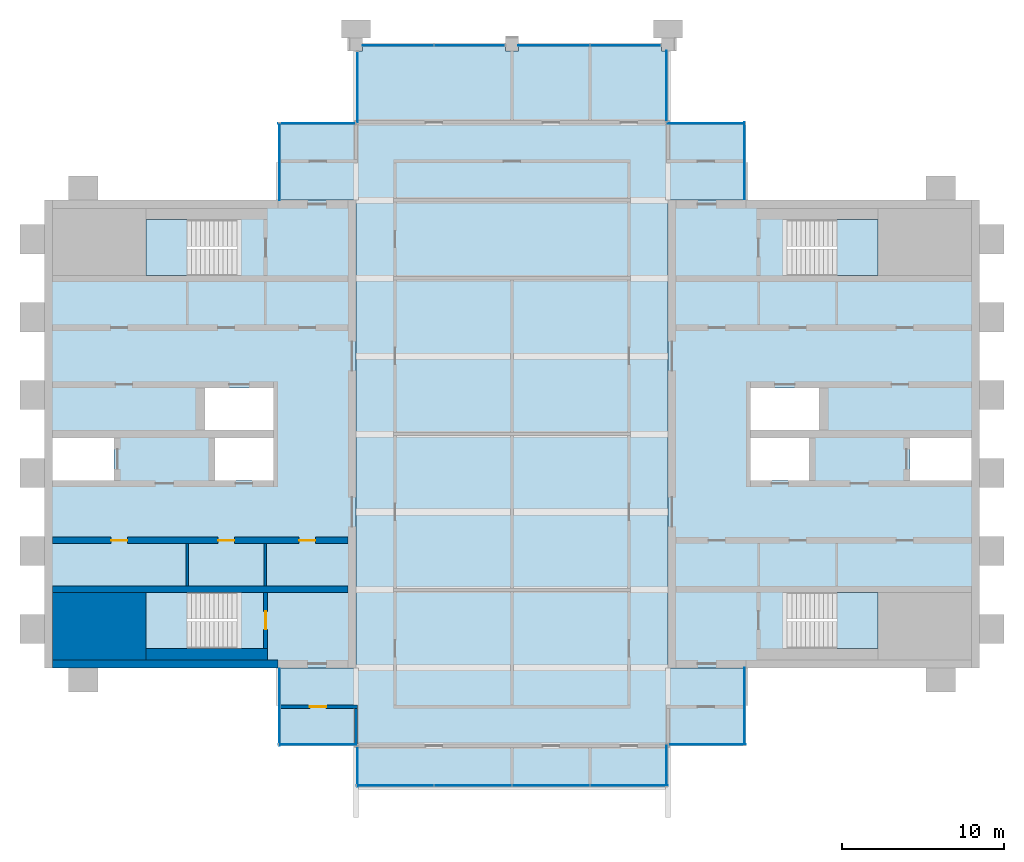
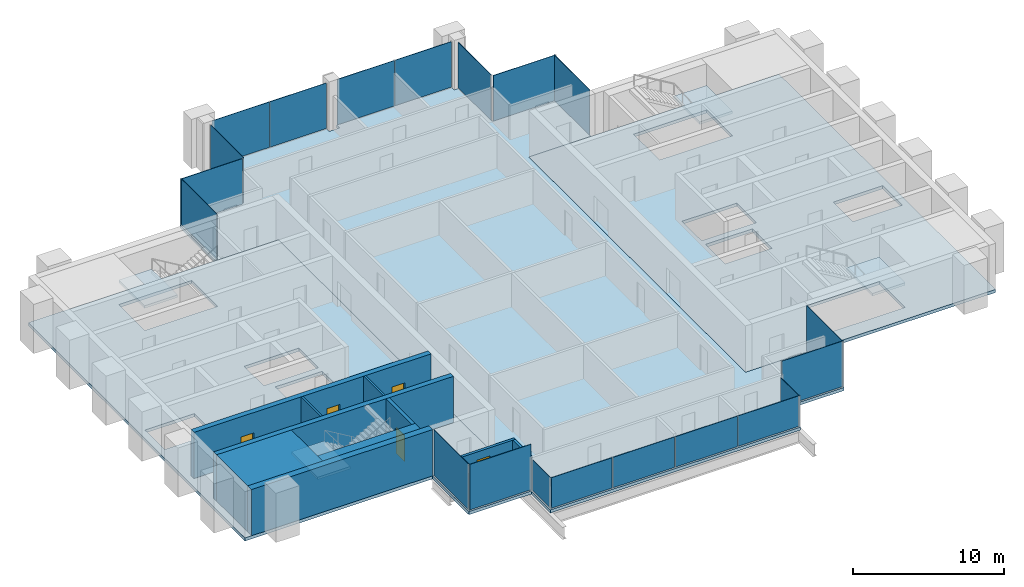
# One storey, part 7 of 12: 20 plates, 10 walls, 7 slabs, 5 doors, 5 openings, 19 elements without a shape of their own.
"""IFC4 building model written with IfcOpenShell, lengths in metres."""

from ifc_helpers import new_model, si_unit, direction, frame, frame_2d, origin, origin_2d, place, context, subcontext, project, spatial, polyline, rectangle, outline, extrude, material, layer, layer_set, type_object, element, fill, aggregate, save


model = new_model("IFC4")

# Units and contexts
model_context = context("Model", 3, precision=1e-05, world=origin(), true_north=direction((0.0, 1.0)))
body_context = subcontext(model_context, "Body", "Model", "MODEL_VIEW")
ifc_project = project(units=[si_unit("LENGTHUNIT", "METRE"), si_unit("AREAUNIT", "SQUARE_METRE"), si_unit("VOLUMEUNIT", "CUBIC_METRE"), si_unit("PLANEANGLEUNIT", "RADIAN"), si_unit("MASSUNIT", "GRAM", prefix="KILO")], contexts=[model_context])

# Site, building, storey
site_placement = place(None, origin())
site = spatial("IfcSite", under=ifc_project, at=site_placement, CompositionType="ELEMENT")
building_placement = place(site_placement, origin())
building = spatial("IfcBuilding", under=site, at=building_placement, Name="Baori Bourse Tower", CompositionType="ELEMENT")
storey_placement = place(building_placement, frame((0.0, 0.0, 362.300048828125)))
storey = spatial("IfcBuildingStorey", under=building, at=storey_placement, Name="L81", CompositionType="ELEMENT", Elevation=362.300048828125)

# Curtain wall, plate
ifc_material_1 = material(Name="Pale anodised aluminium", Category="aluminium")
curtain_wall_type = type_object("IfcCurtainWallType", Name="CW3 Curtain wall", PredefinedType="NOTDEFINED", material=ifc_material_1)
curtain_wall_1_placement = place(storey_placement, origin())
curtain_wall_1 = element("IfcCurtainWall", 1, at=curtain_wall_1_placement, inside=storey, type_object=curtain_wall_type, Name="Curtain wall CW3 L81 1", PredefinedType="NOTDEFINED")
ifc_material_2 = material(Name="Pale anodised aluminium", Category="aluminium")
ifc_layer_1 = layer(ifc_material_2, 0.0400390625)
ifc_layer_set_1 = layer_set([ifc_layer_1], Name="CW3 Curtain wall panel")
plate_type = type_object("IfcPlateType", Name="CW3 Curtain wall panel", PredefinedType="CURTAIN_PANEL", material=ifc_layer_set_1)
plate_1_placement = place(storey_placement, frame((43.1201171875, 7.22509765625, 0.06005859375), z_axis=(0.0, 0.0, 1.0), x_axis=(0.0, 1.0, 0.0)))
plate_1 = element("IfcPlate", 2, at=plate_1_placement, type_object=plate_type, Name="Curtain wall CW3 louvre panel", PredefinedType="CURTAIN_PANEL", context=body_context, shape_type="SweptSolid", body=[
    extrude(rectangle(XDim=4.75, YDim=0.0400390625, at=origin_2d()), origin(), (0.0, 0.0, 1.0), 3.68994140625),
])
aggregate(curtain_wall_1, [plate_1])

curtain_wall_2_placement = place(storey_placement, origin())
curtain_wall_2 = element("IfcCurtainWall", 3, at=curtain_wall_2_placement, inside=storey, type_object=curtain_wall_type, Name="Curtain wall CW3 L81 2", PredefinedType="NOTDEFINED")
plate_2_placement = place(storey_placement, frame((43.1201171875, 40.824951171875, 0.06005859375), z_axis=(0.0, 0.0, 1.0), x_axis=(0.0, 1.0, 0.0)))
plate_2 = element("IfcPlate", 4, at=plate_2_placement, type_object=plate_type, Name="Curtain wall CW3 louvre panel", PredefinedType="CURTAIN_PANEL", context=body_context, shape_type="SweptSolid", body=[
    extrude(rectangle(XDim=4.75, YDim=0.0400390625, at=origin_2d()), origin(), (0.0, 0.0, 1.0), 3.68994140625),
])
aggregate(curtain_wall_2, [plate_2])

curtain_wall_3_placement = place(storey_placement, origin())
curtain_wall_3 = element("IfcCurtainWall", 5, at=curtain_wall_3_placement, inside=storey, type_object=curtain_wall_type, Name="Curtain wall CW3 L81 3", PredefinedType="NOTDEFINED")
plate_3_placement = place(storey_placement, frame((40.77490234375, 43.1201171875, 0.06005859375), z_axis=(0.0, 0.0, 1.0), x_axis=(-1.0, 0.0, 0.0)))
plate_3 = element("IfcPlate", 6, at=plate_3_placement, type_object=plate_type, Name="Curtain wall CW3 louvre panel", PredefinedType="CURTAIN_PANEL", context=body_context, shape_type="SweptSolid", body=[
    extrude(rectangle(XDim=4.75, YDim=0.0400390625, at=origin_2d()), origin(), (0.0, 0.0, 1.0), 3.68994140625),
])
aggregate(curtain_wall_3, [plate_3])

curtain_wall_4_placement = place(storey_placement, origin())
curtain_wall_4 = element("IfcCurtainWall", 7, at=curtain_wall_4_placement, inside=storey, type_object=curtain_wall_type, Name="Curtain wall CW3 L81 4", PredefinedType="NOTDEFINED")
plate_4_placement = place(storey_placement, frame((38.320068359375, 45.425048828125, 0.06005859375), z_axis=(0.0, 0.0, 1.0), x_axis=(0.0, 1.0, 0.0)))
plate_4 = element("IfcPlate", 8, at=plate_4_placement, type_object=plate_type, Name="Curtain wall CW3 louvre panel", PredefinedType="CURTAIN_PANEL", context=body_context, shape_type="SweptSolid", body=[
    extrude(rectangle(XDim=4.35009765625, YDim=0.0400390625, at=origin_2d()), origin(), (0.0, 0.0, 1.0), 3.68994140625),
])
aggregate(curtain_wall_4, [plate_4])

# Curtain wall, plates
curtain_wall_5_placement = place(storey_placement, origin())
curtain_wall_5 = element("IfcCurtainWall", 9, at=curtain_wall_5_placement, inside=storey, type_object=curtain_wall_type, Name="Curtain wall CW3 L81 5", PredefinedType="NOTDEFINED")
plate_5_placement = place(storey_placement, frame((35.78759765625, 47.919921875, 0.06005859375), z_axis=(0.0, 0.0, 1.0), x_axis=(-1.0, 0.0, 0.0)))
plate_5 = element("IfcPlate", 10, at=plate_5_placement, type_object=plate_type, Name="Curtain wall CW3 louvre panel", PredefinedType="CURTAIN_PANEL", context=body_context, shape_type="SweptSolid", body=[
    extrude(rectangle(XDim=4.324951171875, YDim=0.0400390625, at=origin_2d()), origin(), (0.0, 0.0, 1.0), 3.68994140625),
])
plate_6_placement = place(storey_placement, frame((31.387451171875, 47.919921875, 0.06005859375), z_axis=(0.0, 0.0, 1.0), x_axis=(-1.0, 0.0, 0.0)))
plate_6 = element("IfcPlate", 11, at=plate_6_placement, type_object=plate_type, Name="Curtain wall CW3 louvre panel", PredefinedType="CURTAIN_PANEL", context=body_context, shape_type="SweptSolid", body=[
    extrude(rectangle(XDim=4.375, YDim=0.0400390625, at=origin_2d()), origin(), (0.0, 0.0, 1.0), 3.68994140625),
])
aggregate(curtain_wall_5, [plate_5, plate_6])

curtain_wall_6_placement = place(storey_placement, origin())
curtain_wall_6 = element("IfcCurtainWall", 12, at=curtain_wall_6_placement, inside=storey, type_object=curtain_wall_type, Name="Curtain wall CW3 L81 6", PredefinedType="NOTDEFINED")
plate_7_placement = place(storey_placement, frame((26.1875, 47.919921875, 0.06005859375), z_axis=(0.0, 0.0, 1.0), x_axis=(-1.0, 0.0, 0.0)))
plate_7 = element("IfcPlate", 13, at=plate_7_placement, type_object=plate_type, Name="Curtain wall CW3 louvre panel", PredefinedType="CURTAIN_PANEL", context=body_context, shape_type="SweptSolid", body=[
    extrude(rectangle(XDim=4.324951171875, YDim=0.0400390625, at=origin_2d()), origin(), (0.0, 0.0, 1.0), 3.68994140625),
])
plate_8_placement = place(storey_placement, frame((21.78759765625, 47.919921875, 0.06005859375), z_axis=(0.0, 0.0, 1.0), x_axis=(-1.0, 0.0, 0.0)))
plate_8 = element("IfcPlate", 14, at=plate_8_placement, type_object=plate_type, Name="Curtain wall CW3 louvre panel", PredefinedType="CURTAIN_PANEL", context=body_context, shape_type="SweptSolid", body=[
    extrude(rectangle(XDim=4.375, YDim=0.0400390625, at=origin_2d()), origin(), (0.0, 0.0, 1.0), 3.68994140625),
])
aggregate(curtain_wall_6, [plate_7, plate_8])

# Curtain wall, plate
curtain_wall_7_placement = place(storey_placement, origin())
curtain_wall_7 = element("IfcCurtainWall", 15, at=curtain_wall_7_placement, inside=storey, type_object=curtain_wall_type, Name="Curtain wall CW3 L81 7", PredefinedType="NOTDEFINED")
plate_9_placement = place(storey_placement, frame((19.280029296875, 45.375, 0.06005859375), z_axis=(0.0, 0.0, 1.0), x_axis=(0.0, -1.0, 0.0)))
plate_9 = element("IfcPlate", 16, at=plate_9_placement, type_object=plate_type, Name="Curtain wall CW3 louvre panel", PredefinedType="CURTAIN_PANEL", context=body_context, shape_type="SweptSolid", body=[
    extrude(rectangle(XDim=4.35009765625, YDim=0.0400390625, at=origin_2d()), origin(), (0.0, 0.0, 1.0), 3.68994140625),
])
aggregate(curtain_wall_7, [plate_9])

curtain_wall_8_placement = place(storey_placement, origin())
curtain_wall_8 = element("IfcCurtainWall", 17, at=curtain_wall_8_placement, inside=storey, type_object=curtain_wall_type, Name="Curtain wall CW3 L81 8", PredefinedType="NOTDEFINED")
plate_10_placement = place(storey_placement, frame((16.77490234375, 43.1201171875, 0.06005859375), z_axis=(0.0, 0.0, 1.0), x_axis=(-1.0, 0.0, 0.0)))
plate_10 = element("IfcPlate", 18, at=plate_10_placement, type_object=plate_type, Name="Curtain wall CW3 louvre panel", PredefinedType="CURTAIN_PANEL", context=body_context, shape_type="SweptSolid", body=[
    extrude(rectangle(XDim=4.75, YDim=0.0400390625, at=origin_2d()), origin(), (0.0, 0.0, 1.0), 3.68994140625),
])
aggregate(curtain_wall_8, [plate_10])

curtain_wall_9_placement = place(storey_placement, origin())
curtain_wall_9 = element("IfcCurtainWall", 19, at=curtain_wall_9_placement, inside=storey, type_object=curtain_wall_type, Name="Curtain wall CW3 L81 9", PredefinedType="NOTDEFINED")
plate_11_placement = place(storey_placement, frame((14.47998046875, 40.77490234375, 0.06005859375), z_axis=(0.0, 0.0, 1.0), x_axis=(0.0, -1.0, 0.0)))
plate_11 = element("IfcPlate", 20, at=plate_11_placement, type_object=plate_type, Name="Curtain wall CW3 louvre panel", PredefinedType="CURTAIN_PANEL", context=body_context, shape_type="SweptSolid", body=[
    extrude(rectangle(XDim=4.75, YDim=0.0400390625, at=origin_2d()), origin(), (0.0, 0.0, 1.0), 3.68994140625),
])
aggregate(curtain_wall_9, [plate_11])

curtain_wall_10_placement = place(storey_placement, origin())
curtain_wall_10 = element("IfcCurtainWall", 21, at=curtain_wall_10_placement, inside=storey, type_object=curtain_wall_type, Name="Curtain wall CW3 L81 10", PredefinedType="NOTDEFINED")
plate_12_placement = place(storey_placement, frame((14.47998046875, 7.175048828125, 0.06005859375), z_axis=(0.0, 0.0, 1.0), x_axis=(0.0, -1.0, 0.0)))
plate_12 = element("IfcPlate", 22, at=plate_12_placement, type_object=plate_type, Name="Curtain wall CW3 louvre panel", PredefinedType="CURTAIN_PANEL", context=body_context, shape_type="SweptSolid", body=[
    extrude(rectangle(XDim=4.75, YDim=0.0400390625, at=origin_2d()), origin(), (0.0, 0.0, 1.0), 3.68994140625),
])
aggregate(curtain_wall_10, [plate_12])

curtain_wall_11_placement = place(storey_placement, origin())
curtain_wall_11 = element("IfcCurtainWall", 23, at=curtain_wall_11_placement, inside=storey, type_object=curtain_wall_type, Name="Curtain wall CW3 L81 11", PredefinedType="NOTDEFINED")
plate_13_placement = place(storey_placement, frame((16.824951171875, 4.8798828125, 0.06005859375), z_axis=(0.0, 0.0, 1.0), x_axis=(1.0, 0.0, 0.0)))
plate_13 = element("IfcPlate", 24, at=plate_13_placement, type_object=plate_type, Name="Curtain wall CW3 louvre panel", PredefinedType="CURTAIN_PANEL", context=body_context, shape_type="SweptSolid", body=[
    extrude(rectangle(XDim=4.75, YDim=0.0400390625, at=origin_2d()), origin(), (0.0, 0.0, 1.0), 3.68994140625),
])
aggregate(curtain_wall_11, [plate_13])

curtain_wall_12_placement = place(storey_placement, origin())
curtain_wall_12 = element("IfcCurtainWall", 25, at=curtain_wall_12_placement, inside=storey, type_object=curtain_wall_type, Name="Curtain wall CW3 L81 12", PredefinedType="NOTDEFINED")
plate_14_placement = place(storey_placement, frame((19.280029296875, 3.5107421875, 0.06005859375), z_axis=(0.0, 0.0, 1.0), x_axis=(0.0, -1.0, 0.0)))
plate_14 = element("IfcPlate", 26, at=plate_14_placement, type_object=plate_type, Name="Curtain wall CW3 louvre panel", PredefinedType="CURTAIN_PANEL", context=body_context, shape_type="SweptSolid", body=[
    extrude(rectangle(XDim=2.478515625, YDim=0.0400390625, at=origin_2d()), origin(), (0.0, 0.0, 1.0), 2.469970703125),
])
aggregate(curtain_wall_12, [plate_14])

# Curtain wall, plates
curtain_wall_13_placement = place(storey_placement, origin())
curtain_wall_13 = element("IfcCurtainWall", 27, at=curtain_wall_13_placement, inside=storey, type_object=curtain_wall_type, Name="Curtain wall CW3 L81 13", PredefinedType="NOTDEFINED")
plate_15_placement = place(storey_placement, frame((21.612548828125, 2.3515625, 0.06005859375), z_axis=(0.0, 0.0, 1.0), x_axis=(1.0, 0.0, 0.0)))
plate_15 = element("IfcPlate", 28, at=plate_15_placement, type_object=plate_type, Name="Curtain wall CW3 louvre panel", PredefinedType="CURTAIN_PANEL", context=body_context, shape_type="SweptSolid", body=[
    extrude(rectangle(XDim=4.72509765625, YDim=0.0400390625, at=origin_2d()), origin(), (0.0, 0.0, 1.0), 2.469970703125),
])
plate_16_placement = place(storey_placement, frame((26.39990234375, 2.3515625, 0.06005859375), z_axis=(0.0, 0.0, 1.0), x_axis=(1.0, 0.0, 0.0)))
plate_16 = element("IfcPlate", 29, at=plate_16_placement, type_object=plate_type, Name="Curtain wall CW3 louvre panel", PredefinedType="CURTAIN_PANEL", context=body_context, shape_type="SweptSolid", body=[
    extrude(rectangle(XDim=4.75, YDim=0.0400390625, at=origin_2d()), origin(), (0.0, 0.0, 1.0), 2.469970703125),
])
plate_17_placement = place(storey_placement, frame((31.199951171875, 2.3515625, 0.06005859375), z_axis=(0.0, 0.0, 1.0), x_axis=(1.0, 0.0, 0.0)))
plate_17 = element("IfcPlate", 30, at=plate_17_placement, type_object=plate_type, Name="Curtain wall CW3 louvre panel", PredefinedType="CURTAIN_PANEL", context=body_context, shape_type="SweptSolid", body=[
    extrude(rectangle(XDim=4.75, YDim=0.0400390625, at=origin_2d()), origin(), (0.0, 0.0, 1.0), 2.469970703125),
])
plate_18_placement = place(storey_placement, frame((36.012451171875, 2.3515625, 0.06005859375), z_axis=(0.0, 0.0, 1.0), x_axis=(1.0, 0.0, 0.0)))
plate_18 = element("IfcPlate", 31, at=plate_18_placement, type_object=plate_type, Name="Curtain wall CW3 louvre panel", PredefinedType="CURTAIN_PANEL", context=body_context, shape_type="SweptSolid", body=[
    extrude(rectangle(XDim=4.77490234375, YDim=0.0400390625, at=origin_2d()), origin(), (0.0, 0.0, 1.0), 2.469970703125),
])
aggregate(curtain_wall_13, [plate_15, plate_16, plate_17, plate_18])

# Curtain wall, plate
curtain_wall_14_placement = place(storey_placement, origin())
curtain_wall_14 = element("IfcCurtainWall", 32, at=curtain_wall_14_placement, inside=storey, type_object=curtain_wall_type, Name="Curtain wall CW3 L81 14", PredefinedType="NOTDEFINED")
plate_19_placement = place(storey_placement, frame((38.320068359375, 3.560791015625, 0.06005859375), z_axis=(0.0, 0.0, 1.0), x_axis=(0.0, 1.0, 0.0)))
plate_19 = element("IfcPlate", 33, at=plate_19_placement, type_object=plate_type, Name="Curtain wall CW3 louvre panel", PredefinedType="CURTAIN_PANEL", context=body_context, shape_type="SweptSolid", body=[
    extrude(rectangle(XDim=2.478515625, YDim=0.0400390625, at=origin_2d()), origin(), (0.0, 0.0, 1.0), 2.469970703125),
])
aggregate(curtain_wall_14, [plate_19])

curtain_wall_15_placement = place(storey_placement, origin())
curtain_wall_15 = element("IfcCurtainWall", 34, at=curtain_wall_15_placement, inside=storey, type_object=curtain_wall_type, Name="Curtain wall CW3 L81 15", PredefinedType="NOTDEFINED")
plate_20_placement = place(storey_placement, frame((40.824951171875, 4.8798828125, 0.06005859375), z_axis=(0.0, 0.0, 1.0), x_axis=(1.0, 0.0, 0.0)))
plate_20 = element("IfcPlate", 35, at=plate_20_placement, type_object=plate_type, Name="Curtain wall CW3 louvre panel", PredefinedType="CURTAIN_PANEL", context=body_context, shape_type="SweptSolid", body=[
    extrude(rectangle(XDim=4.75, YDim=0.0400390625, at=origin_2d()), origin(), (0.0, 0.0, 1.0), 3.68994140625),
])
aggregate(curtain_wall_15, [plate_20])

# Slabs
ifc_material_3 = material(Name="Concrete f'c 50 MPa", Category="concrete")
ifc_layer_2 = layer(ifc_material_3, 0.25)
ifc_layer_set_2 = layer_set([ifc_layer_2], Name="Core slab 250")
slab_type_1 = type_object("IfcSlabType", Name="Core slab 250", PredefinedType="FLOOR", material=ifc_layer_set_2)
slab_1_placement = place(storey_placement, frame((0.0, 0.0, -0.25)))
element("IfcSlab", 36, at=slab_1_placement, inside=storey, type_object=slab_type_1, Name="Core floor slab W01", PredefinedType="FLOOR", context=body_context, shape_type="SweptSolid", body=[
    extrude(outline(polyline([(0.0, 9.60009765625), (19.199951171875, 9.60009765625), (19.199951171875, 38.39990234375), (0.0, 38.39990234375), (0.0, 9.60009765625)]), holes=[polyline([(10.5, 21.14990234375), (10.5, 23.75), (14.10009765625, 23.75), (14.10009765625, 21.14990234375), (10.5, 21.14990234375)]), polyline([(14.10009765625, 24.25), (9.89990234375, 24.25), (9.89990234375, 26.85009765625), (14.10009765625, 26.85009765625), (14.10009765625, 24.25)]), polyline([(6.25, 14.25), (11.84912109375, 14.25), (11.84912109375, 10.800048828125), (6.25, 10.800048828125), (6.25, 14.25)]), polyline([(11.84912109375, 37.199951171875), (11.84912109375, 33.75), (6.25, 33.75), (6.25, 37.199951171875), (11.84912109375, 37.199951171875)]), polyline([(4.300048828125, 23.75), (4.300048828125, 21.14990234375), (0.5, 21.14990234375), (0.5, 23.75), (4.300048828125, 23.75)])]), origin(), (0.0, 0.0, 1.0), 0.25),
])
slab_2_placement = place(storey_placement, frame((0.0, 0.0, -0.25)))
element("IfcSlab", 37, at=slab_2_placement, inside=storey, type_object=slab_type_1, Name="Core floor slab E01", PredefinedType="FLOOR", context=body_context, shape_type="SweptSolid", body=[
    extrude(outline(polyline([(38.39990234375, 38.39990234375), (38.39990234375, 9.60009765625), (57.60009765625, 9.60009765625), (57.60009765625, 38.39990234375), (38.39990234375, 38.39990234375)]), holes=[polyline([(57.10009765625, 21.14990234375), (53.300048828125, 21.14990234375), (53.300048828125, 23.75), (57.10009765625, 23.75), (57.10009765625, 21.14990234375)]), polyline([(45.750732421875, 14.25), (51.35009765625, 14.25), (51.35009765625, 10.800048828125), (45.750732421875, 10.800048828125), (45.750732421875, 14.25)]), polyline([(51.35009765625, 37.199951171875), (51.35009765625, 33.75), (45.750732421875, 33.75), (45.750732421875, 37.199951171875), (51.35009765625, 37.199951171875)]), polyline([(43.5, 24.25), (43.5, 26.85009765625), (47.699951171875, 26.85009765625), (47.699951171875, 24.25), (43.5, 24.25)]), polyline([(43.5, 23.75), (47.10009765625, 23.75), (47.10009765625, 21.14990234375), (43.5, 21.14990234375), (43.5, 23.75)])]), origin(), (0.0, 0.0, 1.0), 0.25),
])

# Stair, slab
ifc_material_4 = material(Name="Concrete f'c 50 MPa", Category="concrete")
stair_type = type_object("IfcStairType", Name="Core stair", PredefinedType="HALF_TURN_STAIR", material=ifc_material_4)
stair_1_placement = place(storey_placement, origin())
stair_1 = element("IfcStair", 38, at=stair_1_placement, inside=storey, type_object=stair_type, Name="L81 Stair WA", PredefinedType="HALF_TURN_STAIR")
ifc_material_5 = material(Name="Concrete f'c 50 MPa", Category="concrete")
slab_type_2 = type_object("IfcSlabType", Name="Core stair landing", PredefinedType="LANDING", material=ifc_material_5)
slab_3_placement = place(storey_placement, frame((0.0, 0.0, 1.800048828125)))
slab_3 = element("IfcSlab", 39, at=slab_3_placement, type_object=slab_type_2, Name="ST1 landing 1", PredefinedType="LANDING", context=body_context, shape_type="SweptSolid", body=[
    extrude(outline(polyline([(8.77001953125, 14.25), (6.25, 14.25), (6.25, 10.800048828125), (8.77001953125, 10.800048828125), (8.77001953125, 14.25)])), origin(), (0.0, 0.0, 1.0), 0.199951171875),
])
aggregate(stair_1, [slab_3])

stair_2_placement = place(storey_placement, origin())
stair_2 = element("IfcStair", 40, at=stair_2_placement, inside=storey, type_object=stair_type, Name="L81 Stair WB", PredefinedType="HALF_TURN_STAIR")
slab_4_placement = place(storey_placement, frame((0.0, 0.0, 1.800048828125)))
slab_4 = element("IfcSlab", 41, at=slab_4_placement, type_object=slab_type_2, Name="ST2 landing 1", PredefinedType="LANDING", context=body_context, shape_type="SweptSolid", body=[
    extrude(outline(polyline([(8.77001953125, 37.199951171875), (6.25, 37.199951171875), (6.25, 33.75), (8.77001953125, 33.75), (8.77001953125, 37.199951171875)])), origin(), (0.0, 0.0, 1.0), 0.199951171875),
])
aggregate(stair_2, [slab_4])

stair_3_placement = place(storey_placement, origin())
stair_3 = element("IfcStair", 42, at=stair_3_placement, inside=storey, type_object=stair_type, Name="L81 Stair EA", PredefinedType="HALF_TURN_STAIR")
slab_5_placement = place(storey_placement, frame((0.0, 0.0, 1.800048828125)))
slab_5 = element("IfcSlab", 43, at=slab_5_placement, type_object=slab_type_2, Name="ST3 landing 1", PredefinedType="LANDING", context=body_context, shape_type="SweptSolid", body=[
    extrude(outline(polyline([(48.830078125, 10.800048828125), (51.35009765625, 10.800048828125), (51.35009765625, 14.25), (48.830078125, 14.25), (48.830078125, 10.800048828125)])), origin(), (0.0, 0.0, 1.0), 0.199951171875),
])
aggregate(stair_3, [slab_5])

stair_4_placement = place(storey_placement, origin())
stair_4 = element("IfcStair", 44, at=stair_4_placement, inside=storey, type_object=stair_type, Name="L81 Stair EB", PredefinedType="HALF_TURN_STAIR")
slab_6_placement = place(storey_placement, frame((0.0, 0.0, 1.800048828125)))
slab_6 = element("IfcSlab", 45, at=slab_6_placement, type_object=slab_type_2, Name="ST4 landing 1", PredefinedType="LANDING", context=body_context, shape_type="SweptSolid", body=[
    extrude(outline(polyline([(48.830078125, 33.75), (51.35009765625, 33.75), (51.35009765625, 37.199951171875), (48.830078125, 37.199951171875), (48.830078125, 33.75)])), origin(), (0.0, 0.0, 1.0), 0.199951171875),
])
aggregate(stair_4, [slab_6])

# Slab
ifc_material_6 = material(Name="Concrete f'c 40 MPa", Category="concrete")
ifc_layer_3 = layer(ifc_material_6, 0.25)
ifc_layer_set_3 = layer_set([ifc_layer_3], Name="Floor slab 250")
slab_type_3 = type_object("IfcSlabType", Name="Floor slab 250", PredefinedType="FLOOR", material=ifc_layer_set_3)
slab_7_placement = place(storey_placement, frame((0.0, 0.0, -0.25)))
element("IfcSlab", 46, at=slab_7_placement, inside=storey, type_object=slab_type_3, Name="Floor slab L81", PredefinedType="FLOOR", context=body_context, shape_type="SweptSolid", body=[
    extrude(outline(polyline([(38.39990234375, 43.199951171875), (43.199951171875, 43.199951171875), (43.199951171875, 38.39990234375), (38.39990234375, 38.39990234375), (38.39990234375, 9.60009765625), (43.199951171875, 9.60009765625), (43.199951171875, 4.800048828125), (38.39990234375, 4.800048828125), (38.39990234375, 2.271484375), (19.199951171875, 2.271484375), (19.199951171875, 4.800048828125), (14.39990234375, 4.800048828125), (14.39990234375, 9.60009765625), (19.199951171875, 9.60009765625), (19.199951171875, 38.39990234375), (14.39990234375, 38.39990234375), (14.39990234375, 43.199951171875), (19.199951171875, 43.199951171875), (19.199951171875, 47.60009765625), (19.60009765625, 47.60009765625), (19.60009765625, 48.0), (28.39990234375, 48.0), (28.39990234375, 47.60009765625), (29.199951171875, 47.60009765625), (29.199951171875, 48.0), (38.0, 48.0), (38.0, 47.60009765625), (38.39990234375, 47.60009765625), (38.39990234375, 43.199951171875)])), origin(), (0.0, 0.0, 1.0), 0.25),
])

# Walls
ifc_material_7 = material(Name="Concrete f'c 40 MPa", Category="concrete")
wall_type_1 = type_object("IfcWallType", Name="Core corner block f'c 40", PredefinedType="SHEAR", material=ifc_material_7)
wall_1_placement = place(storey_placement, frame((0.5, 12.175048828125, 0.0), z_axis=(0.0, 0.0, 1.0), x_axis=(1.0, 0.0, 0.0)))
element("IfcWall", 47, at=wall_1_placement, inside=storey, type_object=wall_type_1, Name="Core wall W05", PredefinedType="SHEAR", context=body_context, shape_type="SweptSolid", body=[
    extrude(rectangle(XDim=5.75, YDim=4.14990234375, at=frame_2d((2.875, 0.0))), origin(), (0.0, 0.0, 1.0), 3.75),
])
ifc_material_8 = material(Name="Blockwork partition", Category="masonry")
ifc_layer_4 = layer(ifc_material_8, 0.14990234375)
ifc_layer_set_4 = layer_set([ifc_layer_4], Name="Core partition 150")
wall_type_2 = type_object("IfcWallType", Name="Core partition 150", PredefinedType="PARTITIONING", material=ifc_layer_set_4)
for number, where, z_axis, x_axis, name in (
    (48, (8.800048828125, 14.64990234375, 0.0), (0.0, 0.0, 1.0), (0.0, 1.0, 0.0), "Partition wall W09"),
    (49, (13.60009765625, 14.64990234375, 0.0), (0.0, 0.0, 1.0), (0.0, 1.0, 0.0), "Partition wall W10"),
):
    element("IfcWall", number, at=place(storey_placement, frame(where, z_axis=z_axis, x_axis=x_axis)), inside=storey, type_object=wall_type_2, Name=name, PredefinedType="PARTITIONING", context=body_context, shape_type="SweptSolid", body=[
        extrude(rectangle(XDim=2.60009765625, YDim=0.14990234375, at=frame_2d((1.300048828125, 0.0))), origin(), (0.0, 0.0, 1.0), 3.75),
    ])
ifc_material_9 = material(Name="Concrete f'c 40 MPa", Category="concrete")
ifc_layer_5 = layer(ifc_material_9, 0.5)
ifc_layer_set_5 = layer_set([ifc_layer_5], Name="Core wall 500 f'c 40")
wall_type_3 = type_object("IfcWallType", Name="Core wall 500 f'c 40", PredefinedType="SHEAR", material=ifc_layer_set_5)
wall_2_placement = place(storey_placement, frame((14.39990234375, 9.85009765625, 0.0), z_axis=(0.0, 0.0, 1.0), x_axis=(-1.0, 0.0, 0.0)))
element("IfcWall", 50, at=wall_2_placement, inside=storey, type_object=wall_type_3, Name="Core wall W02", PredefinedType="SHEAR", context=body_context, shape_type="SweptSolid", body=[
    extrude(rectangle(XDim=13.89990234375, YDim=0.5, at=frame_2d((6.949951171875, 0.0))), origin(), (0.0, 0.0, 1.0), 3.75),
])

# Wall, opening, door
ifc_material_10 = material(Name="Gypsum board partition")
ifc_layer_6 = layer(ifc_material_10, 0.199951171875)
ifc_layer_set_6 = layer_set([ifc_layer_6], Name="Plant room wall 200")
wall_type_4 = type_object("IfcWallType", Name="Plant room wall 200", PredefinedType="PARTITIONING", material=ifc_layer_set_6)
wall_3_placement = place(storey_placement, frame((14.5, 7.199951171875, 0.0), z_axis=(0.0, 0.0, 1.0), x_axis=(1.0, 0.0, 0.0)))
wall_3 = element("IfcWall", 51, at=wall_3_placement, inside=storey, type_object=wall_type_4, Name="Partition", PredefinedType="PARTITIONING", context=body_context, shape_type="SweptSolid", body=[
    extrude(rectangle(XDim=4.800048828125, YDim=0.199951171875, at=frame_2d((2.39990234375, 0.0))), origin(), (0.0, 0.0, 1.0), 2.75927734375),
])
opening_1_placement = place(wall_3_placement, frame((1.85009765625, 0.0, 0.0)))
opening_1 = element("IfcOpeningElement", 52, at=opening_1_placement, cuts=wall_3, Name="Opening L81-D04", PredefinedType="OPENING", context=body_context, shape_type="SweptSolid", body=[
    extrude(rectangle(XDim=1.0, YDim=2.10009765625, at=frame_2d((0.5, 1.050048828125))), frame((0.0, 0.10986328125, 0.0), z_axis=(0.0, -1.0, 0.0), x_axis=(1.0, 0.0, 0.0)), (0.0, 0.0, 1.0), 0.219970703125),
])
ifc_material_11 = material(Name="Timber door leaf", Category="wood")
door_type_1 = type_object("IfcDoorType", Name="Door 1000 x 2100", OperationType="SINGLE_SWING_LEFT", PredefinedType="DOOR", material=ifc_material_11)
door_1_placement = place(opening_1_placement, origin())
door_1 = element("IfcDoor", 53, at=door_1_placement, inside=storey, type_object=door_type_1, Name="Door", OperationType="SINGLE_SWING_LEFT", OverallHeight=2.10009765625, OverallWidth=1.0, PredefinedType="DOOR", context=body_context, shape_type="SweptSolid", body=[
    extrude(rectangle(XDim=1.0, YDim=2.10009765625, at=frame_2d((0.5, 1.050048828125))), frame((0.0, 0.02490234375, 0.0), z_axis=(0.0, -1.0, 0.0), x_axis=(1.0, 0.0, 0.0)), (0.0, 0.0, 1.0), 0.050048828125),
])
fill(opening_1, door_1)

# Wall
wall_4_placement = place(storey_placement, frame((19.199951171875, 4.89990234375, 0.0), z_axis=(0.0, 0.0, 1.0), x_axis=(0.0, 1.0, 0.0)))
element("IfcWall", 54, at=wall_4_placement, inside=storey, type_object=wall_type_4, Name="Partition", PredefinedType="PARTITIONING", context=body_context, shape_type="SweptSolid", body=[
    extrude(rectangle(XDim=2.2001953125, YDim=0.199951171875, at=frame_2d((1.10009765625, 0.0))), origin(), (0.0, 0.0, 1.0), 2.75927734375),
])

# Wall, opening, door
ifc_material_12 = material(Name="Concrete f'c 40 MPa", Category="concrete")
ifc_layer_7 = layer(ifc_material_12, 0.25)
ifc_layer_set_7 = layer_set([ifc_layer_7], Name="Shaft wall 250 f'c 40")
wall_type_5 = type_object("IfcWallType", Name="Shaft wall 250 f'c 40", PredefinedType="SHEAR", material=ifc_layer_set_7)
wall_5_placement = place(storey_placement, frame((13.625, 10.800048828125, 0.0), z_axis=(0.0, 0.0, 1.0), x_axis=(0.0, 1.0, 0.0)))
wall_5 = element("IfcWall", 55, at=wall_5_placement, inside=storey, type_object=wall_type_5, Name="Core wall W07", PredefinedType="SHEAR", context=body_context, shape_type="SweptSolid", body=[
    extrude(rectangle(XDim=3.449951171875, YDim=0.25, at=frame_2d((1.72509765625, 0.0))), origin(), (0.0, 0.0, 1.0), 3.75),
])
opening_2_placement = place(wall_5_placement, frame((1.175048828125, 0.0, 0.0)))
opening_2 = element("IfcOpeningElement", 56, at=opening_2_placement, cuts=wall_5, Name="Opening L81-D101", PredefinedType="OPENING", context=body_context, shape_type="SweptSolid", body=[
    extrude(rectangle(XDim=1.10009765625, YDim=2.10009765625, at=frame_2d((0.550048828125, 1.050048828125))), frame((0.0, 0.135009765625, 0.0), z_axis=(0.0, -1.0, 0.0), x_axis=(1.0, 0.0, 0.0)), (0.0, 0.0, 1.0), 0.27001953125),
])
ifc_material_13 = material(Name="Painted steel door", Category="steel")
door_type_2 = type_object("IfcDoorType", Name="Stair door 1100", OperationType="SINGLE_SWING_LEFT", PredefinedType="DOOR", material=ifc_material_13)
door_2_placement = place(opening_2_placement, origin())
door_2 = element("IfcDoor", 57, at=door_2_placement, inside=storey, type_object=door_type_2, Name="Stair door A W L81", OperationType="SINGLE_SWING_LEFT", OverallHeight=2.10009765625, OverallWidth=1.10009765625, PredefinedType="DOOR", context=body_context, shape_type="SweptSolid", body=[
    extrude(rectangle(XDim=1.10009765625, YDim=2.10009765625, at=frame_2d((0.550048828125, 1.050048828125))), frame((0.0, 0.02490234375, 0.0), z_axis=(0.0, -1.0, 0.0), x_axis=(1.0, 0.0, 0.0)), (0.0, 0.0, 1.0), 0.050048828125),
])
fill(opening_2, door_2)

# Wall
ifc_material_14 = material(Name="Concrete f'c 40 MPa", Category="concrete")
ifc_layer_8 = layer(ifc_material_14, 0.39990234375)
ifc_layer_set_8 = layer_set([ifc_layer_8], Name="Shaft wall 400 f'c 40")
wall_type_6 = type_object("IfcWallType", Name="Shaft wall 400 f'c 40", PredefinedType="SHEAR", material=ifc_layer_set_8)
wall_6_placement = place(storey_placement, frame((0.5, 14.449951171875, 0.0), z_axis=(0.0, 0.0, 1.0), x_axis=(1.0, 0.0, 0.0)))
element("IfcWall", 58, at=wall_6_placement, inside=storey, type_object=wall_type_6, Name="Core wall W08", PredefinedType="SHEAR", context=body_context, shape_type="SweptSolid", body=[
    extrude(rectangle(XDim=18.199951171875, YDim=0.39990234375, at=frame_2d((9.10009765625, 0.0))), origin(), (0.0, 0.0, 1.0), 3.75),
])

# Wall, openings, doors
wall_7_placement = place(storey_placement, frame((0.5, 17.449951171875, 0.0), z_axis=(0.0, 0.0, 1.0), x_axis=(1.0, 0.0, 0.0)))
wall_7 = element("IfcWall", 59, at=wall_7_placement, inside=storey, type_object=wall_type_6, Name="Core wall W11", PredefinedType="SHEAR", context=body_context, shape_type="SweptSolid", body=[
    extrude(rectangle(XDim=18.199951171875, YDim=0.39990234375, at=frame_2d((9.10009765625, 0.0))), origin(), (0.0, 0.0, 1.0), 3.75),
])
opening_3_placement = place(wall_7_placement, frame((3.612548828125, 0.0, 0.0)))
opening_3 = element("IfcOpeningElement", 60, at=opening_3_placement, cuts=wall_7, Name="Opening L81-D112", PredefinedType="OPENING", context=body_context, shape_type="SweptSolid", body=[
    extrude(rectangle(XDim=1.0, YDim=2.10009765625, at=frame_2d((0.5, 1.050048828125))), frame((0.0, 0.2099609375, 0.0), z_axis=(0.0, -1.0, 0.0), x_axis=(1.0, 0.0, 0.0)), (0.0, 0.0, 1.0), 0.419921875),
])
opening_4_placement = place(wall_7_placement, frame((10.199951171875, 0.0, 0.0)))
opening_4 = element("IfcOpeningElement", 61, at=opening_4_placement, cuts=wall_7, Name="Opening L81-D113", PredefinedType="OPENING", context=body_context, shape_type="SweptSolid", body=[
    extrude(rectangle(XDim=1.0, YDim=2.10009765625, at=frame_2d((0.5, 1.050048828125))), frame((0.0, 0.2099609375, 0.0), z_axis=(0.0, -1.0, 0.0), x_axis=(1.0, 0.0, 0.0)), (0.0, 0.0, 1.0), 0.419921875),
])
opening_5_placement = place(wall_7_placement, frame((15.1875, 0.0, 0.0)))
opening_5 = element("IfcOpeningElement", 62, at=opening_5_placement, cuts=wall_7, Name="Opening L81-D114", PredefinedType="OPENING", context=body_context, shape_type="SweptSolid", body=[
    extrude(rectangle(XDim=1.0, YDim=2.10009765625, at=frame_2d((0.5, 1.050048828125))), frame((0.0, 0.2099609375, 0.0), z_axis=(0.0, -1.0, 0.0), x_axis=(1.0, 0.0, 0.0)), (0.0, 0.0, 1.0), 0.419921875),
])
ifc_material_15 = material(Name="Painted steel door", Category="steel")
door_type_3 = type_object("IfcDoorType", Name="Plant room door 1000", OperationType="SINGLE_SWING_LEFT", PredefinedType="DOOR", material=ifc_material_15)
door_3_placement = place(opening_3_placement, origin())
door_3 = element("IfcDoor", 63, at=door_3_placement, inside=storey, type_object=door_type_3, Name="Air Handling Fan Room door W L81", OperationType="SINGLE_SWING_LEFT", OverallHeight=2.10009765625, OverallWidth=1.0, PredefinedType="DOOR", context=body_context, shape_type="SweptSolid", body=[
    extrude(rectangle(XDim=1.0, YDim=2.10009765625, at=frame_2d((0.5, 1.050048828125))), frame((0.0, 0.02490234375, 0.0), z_axis=(0.0, -1.0, 0.0), x_axis=(1.0, 0.0, 0.0)), (0.0, 0.0, 1.0), 0.050048828125),
])
fill(opening_3, door_3)
door_4_placement = place(opening_4_placement, origin())
door_4 = element("IfcDoor", 64, at=door_4_placement, inside=storey, type_object=door_type_3, Name="Electrical Room door W L81", OperationType="SINGLE_SWING_LEFT", OverallHeight=2.10009765625, OverallWidth=1.0, PredefinedType="DOOR", context=body_context, shape_type="SweptSolid", body=[
    extrude(rectangle(XDim=1.0, YDim=2.10009765625, at=frame_2d((0.5, 1.050048828125))), frame((0.0, 0.02490234375, 0.0), z_axis=(0.0, -1.0, 0.0), x_axis=(1.0, 0.0, 0.0)), (0.0, 0.0, 1.0), 0.050048828125),
])
fill(opening_4, door_4)
door_5_placement = place(opening_5_placement, origin())
door_5 = element("IfcDoor", 65, at=door_5_placement, inside=storey, type_object=door_type_3, Name="Mechanical Room door W L81", OperationType="SINGLE_SWING_LEFT", OverallHeight=2.10009765625, OverallWidth=1.0, PredefinedType="DOOR", context=body_context, shape_type="SweptSolid", body=[
    extrude(rectangle(XDim=1.0, YDim=2.10009765625, at=frame_2d((0.5, 1.050048828125))), frame((0.0, 0.02490234375, 0.0), z_axis=(0.0, -1.0, 0.0), x_axis=(1.0, 0.0, 0.0)), (0.0, 0.0, 1.0), 0.050048828125),
])
fill(opening_5, door_5)

# Wall
ifc_material_16 = material(Name="Concrete f'c 40 MPa", Category="concrete")
ifc_layer_9 = layer(ifc_material_16, 0.699951171875)
ifc_layer_set_9 = layer_set([ifc_layer_9], Name="Shaft wall 700 f'c 40")
wall_type_7 = type_object("IfcWallType", Name="Shaft wall 700 f'c 40", PredefinedType="SHEAR", material=ifc_layer_set_9)
wall_8_placement = place(storey_placement, frame((6.25, 10.449951171875, 0.0), z_axis=(0.0, 0.0, 1.0), x_axis=(1.0, 0.0, 0.0)))
element("IfcWall", 66, at=wall_8_placement, inside=storey, type_object=wall_type_7, Name="Core wall W06", PredefinedType="SHEAR", context=body_context, shape_type="SweptSolid", body=[
    extrude(rectangle(XDim=7.5, YDim=0.699951171875, at=frame_2d((3.75, 0.0))), origin(), (0.0, 0.0, 1.0), 3.75),
])

save(model, "model.ifc")
